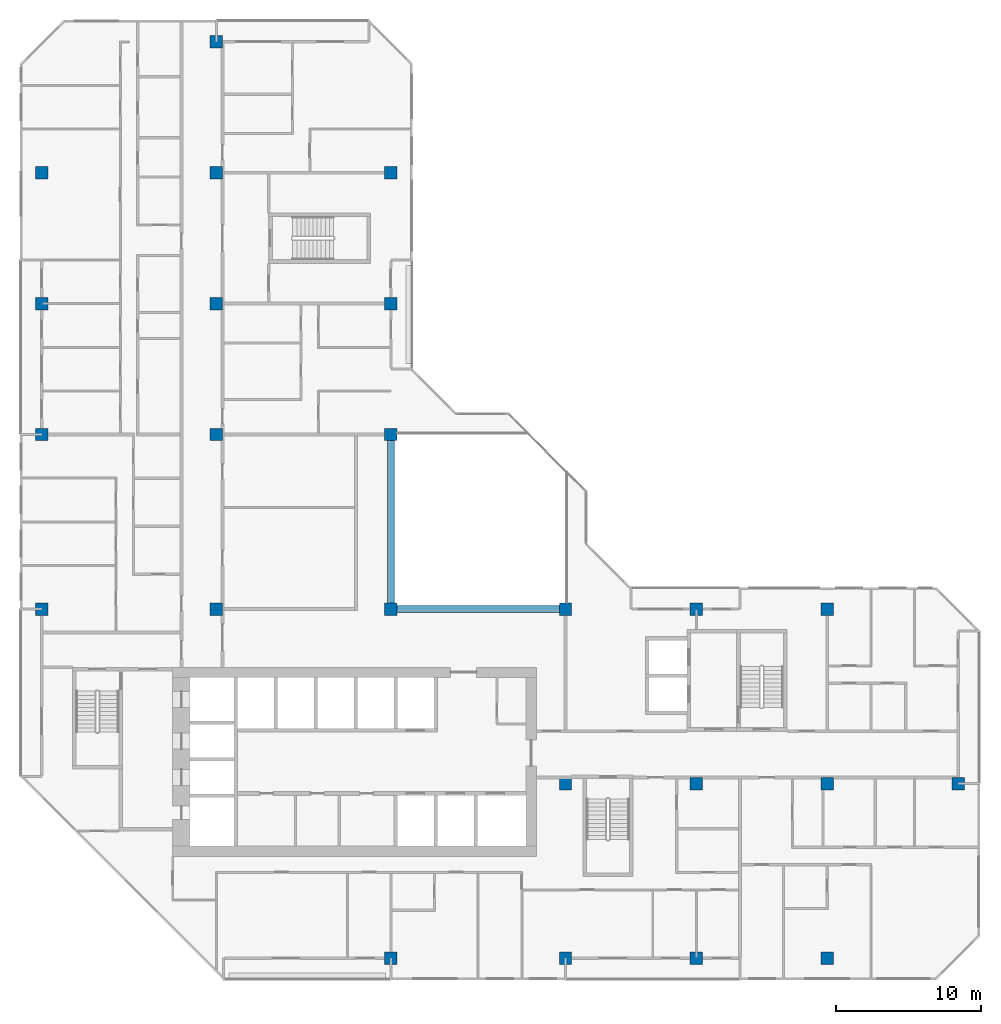
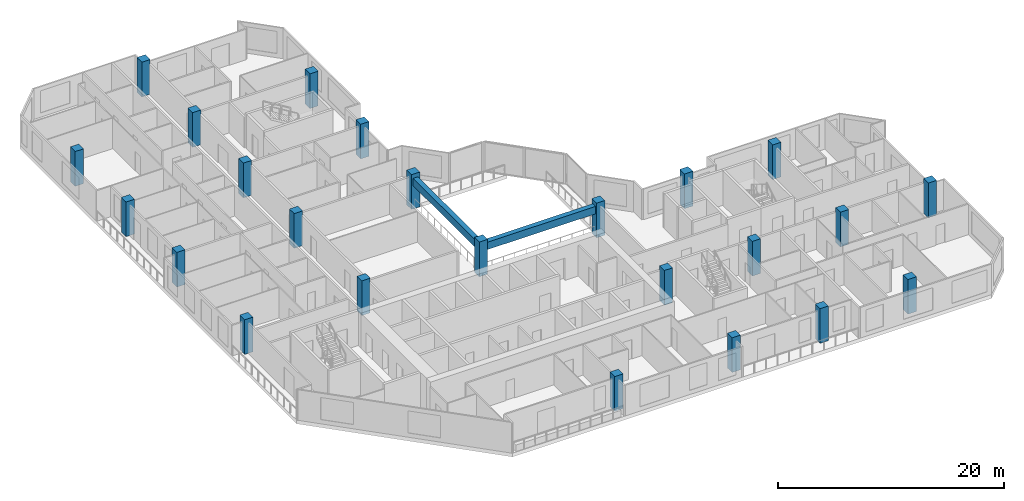
# One storey, part 1 of 15: 24 columns, 2 beams.
"""IFC4 building model written with IfcOpenShell, lengths in metres."""

import ifcopenshell
import ifcopenshell.guid

model = None  # the IFC model being written
_history = None  # IfcOwnerHistory: only IFC2X3 demands one
_inside = {}  # id of a spatial element -> (the spatial element, [elements in it])
_under = {}  # id of a project, library or spatial element -> (it, [spatial elements below it])
_declared = {}  # id of a project -> (the project, [libraries it declares])
_typed = {}  # id of a type object -> (the type object, [elements of that type])
_made_of = {}  # id of a material, layer set ... -> (it, [elements and type objects made of it])


def new_model(schema):
    """Start an empty IFC model of exactly this schema.

    Asked for "IFC4X3", IfcOpenShell would pick the latest addendum, in which some entities
    have other attributes; the version numbers below select the first issue.
    IFC2X3 requires an IfcOwnerHistory on every rooted entity: one is made here for all.
    """
    global model, _history
    if schema == "IFC4X3":
        model = ifcopenshell.file(schema_version=(4, 3, 0, 0))
    else:
        model = ifcopenshell.file(schema=schema)
    _inside.clear()
    _under.clear()
    _declared.clear()
    _typed.clear()
    _made_of.clear()
    _history = None
    if model.schema == "IFC2X3":
        org = make("IfcOrganization", Name="unknown")
        user = make(
            "IfcPersonAndOrganization",
            ThePerson=make("IfcPerson", FamilyName="unknown"),
            TheOrganization=org,
        )
        app = make(
            "IfcApplication",
            ApplicationDeveloper=org,
            Version="unknown",
            ApplicationFullName="unknown",
            ApplicationIdentifier="unknown",
        )
        _history = make(
            "IfcOwnerHistory",
            OwningUser=user,
            OwningApplication=app,
            ChangeAction="ADDED",
            CreationDate=0,
        )
    return model


def make(cls, **values):
    """One entity of the class cls with the attributes given. An attribute that is None is left unset."""
    return model.create_entity(
        cls, **{name: value for name, value in values.items() if value is not None}
    )


def rooted(cls, **values):
    """An entity with a GlobalId (a new one), such as an element, a storey or a relation."""
    return make(cls, GlobalId=ifcopenshell.guid.new(), OwnerHistory=_history, **values)


def si_unit(unit_type, name, prefix=None):
    """IfcSIUnit, for example si_unit("LENGTHUNIT", "METRE", prefix="MILLI")."""
    return make("IfcSIUnit", UnitType=unit_type, Prefix=prefix, Name=name)


def assignment(units):
    """IfcUnitAssignment: the units of a project."""
    return None if units is None else make("IfcUnitAssignment", Units=units)


def point(xyz):
    """IfcCartesianPoint."""
    return None if xyz is None else make("IfcCartesianPoint", Coordinates=xyz)


def direction(xyz):
    """IfcDirection."""
    return None if xyz is None else make("IfcDirection", DirectionRatios=xyz)


def frame(location, z_axis=None, x_axis=None):
    """IfcAxis2Placement3D, a coordinate frame: its origin and axes. An axis left out is left unset."""
    return make(
        "IfcAxis2Placement3D",
        Location=point(location),
        Axis=direction(z_axis),
        RefDirection=direction(x_axis),
    )


def frame_2d(location, x_axis=None):
    """IfcAxis2Placement2D, a coordinate frame in the plane: its origin and x axis."""
    return make(
        "IfcAxis2Placement2D", Location=point(location), RefDirection=direction(x_axis)
    )


def origin():
    """The frame at (0, 0, 0) with its axes left unset."""
    return frame((0.0, 0.0, 0.0))


def origin_2d():
    """The frame at (0, 0) in the plane with its x axis left unset."""
    return frame_2d((0.0, 0.0))


def place(relative_to, where):
    """IfcLocalPlacement: puts the frame where relative to a parent placement (None: the world)."""
    return make(
        "IfcLocalPlacement", PlacementRelTo=relative_to, RelativePlacement=where
    )


def context(
    kind, dimensions, precision=None, world=None, true_north=None, identifier=None
):
    """IfcGeometricRepresentationContext, for example the 3D "Model" context."""
    return make(
        "IfcGeometricRepresentationContext",
        ContextIdentifier=identifier,
        ContextType=kind,
        CoordinateSpaceDimension=dimensions,
        Precision=precision,
        WorldCoordinateSystem=world,
        TrueNorth=true_north,
    )


def subcontext(parent, identifier, kind, view, scale=None):
    """IfcGeometricRepresentationSubContext, for example "Body" below "Model"."""
    return make(
        "IfcGeometricRepresentationSubContext",
        ContextIdentifier=identifier,
        ContextType=kind,
        ParentContext=parent,
        TargetScale=scale,
        TargetView=view,
    )


def project(units=None, contexts=None):
    """IfcProject with its units and contexts."""
    return rooted(
        "IfcProject",
        Name="project",
        RepresentationContexts=contexts,
        UnitsInContext=assignment(units),
    )


def spatial(cls, under=None, at=None, **own):
    """A site, building, storey or space (cls), placed at a placement, below another one or the project."""
    s = rooted(cls, ObjectPlacement=at, **own)
    if under is not None:
        _under.setdefault(under.id(), (under, []))[1].append(s)
    return s


def profile(cls, at=None, kind="AREA", **sizes):
    """A parametric profile (cls). Its sizes go by their IFC names, for example OverallWidth=200.0."""
    return make(cls, ProfileType=kind, Position=at, **sizes)


def rectangle(**sizes):
    """IfcRectangleProfileDef."""
    return profile("IfcRectangleProfileDef", **sizes)


def extrude(swept, where, along, depth):
    """IfcExtrudedAreaSolid: the profile swept, set in the frame where, extruded along a direction by depth."""
    return make(
        "IfcExtrudedAreaSolid",
        SweptArea=swept,
        Position=where,
        ExtrudedDirection=direction(along),
        Depth=depth,
    )


def shape(context_of_items, identifier, shape_type, items):
    """IfcShapeRepresentation: the items that make up one representation, for example the "Body"."""
    return make(
        "IfcShapeRepresentation",
        ContextOfItems=context_of_items,
        RepresentationIdentifier=identifier,
        RepresentationType=shape_type,
        Items=items,
    )


def material(Name=None, Category=None):
    """IfcMaterial."""
    return make("IfcMaterial", Name=Name, Category=Category)


def material_profile(
    of_material, cross_section, Name=None, Category=None, Priority=None
):
    """IfcMaterialProfile: a cross section and its material."""
    return make(
        "IfcMaterialProfile",
        Name=Name,
        Material=of_material,
        Profile=cross_section,
        Priority=Priority,
        Category=Category,
    )


def profile_set(profiles, Name=None, composite=None):
    """IfcMaterialProfileSet."""
    return make(
        "IfcMaterialProfileSet",
        Name=Name,
        MaterialProfiles=profiles,
        CompositeProfile=composite,
    )


def made_of(thing, what):
    """Note that an element or type object is made of a material, layer set ...; save() writes the relation."""
    if what is not None:
        _made_of.setdefault(what.id(), (what, []))[1].append(thing)
    return thing


def type_object(cls, material=None, **own):
    """A type object (cls), such as IfcWallType, which elements share."""
    return made_of(rooted(cls, **own), material)


def element(
    cls,
    number,
    at=None,
    inside=None,
    cuts=None,
    type_object=None,
    material=None,
    context=None,
    identifier="Body",
    shape_type=None,
    held_by="IfcProductDefinitionShape",
    body=None,
    shapes=None,
    **own,
):
    """One element of the class cls, such as IfcWall. Its Tag is "e" and its number.

    at: its placement. inside: the storey or other place that contains it. cuts: it is an
    opening in that element (IfcRelVoidsElement). A single representation is given by context,
    identifier, shape_type and body (its items); several are given by shapes. held_by: the class
    of the entity that holds the representations. save() writes the other relations.
    """
    e = rooted(cls, Tag="e%d" % number, ObjectPlacement=at, **own)
    if body is not None:
        shapes = [shape(context, identifier, shape_type, body)]
    if shapes is not None:
        e.Representation = make(held_by, Representations=shapes)
    if inside is not None:
        _inside.setdefault(inside.id(), (inside, []))[1].append(e)
    if cuts is not None:
        rooted(
            "IfcRelVoidsElement", RelatingBuildingElement=cuts, RelatedOpeningElement=e
        )
    if type_object is not None:
        _typed.setdefault(type_object.id(), (type_object, []))[1].append(e)
    return made_of(e, material)


def aggregate(whole, parts):
    """IfcRelAggregates: a whole, such as a stair, and the parts it consists of."""
    return rooted("IfcRelAggregates", RelatingObject=whole, RelatedObjects=parts)


def save(model, path):
    """Write the relations noted so far, then the file.

    IfcRelAggregates (storeys below a building ...), IfcRelContainedInSpatialStructure (elements
    in a storey), IfcRelDefinesByType, IfcRelAssociatesMaterial and IfcRelDeclares: one each for
    every whole, place, type object, material and project.
    """
    for whole, parts in _under.values():
        aggregate(whole, parts)
    for where, things in _inside.values():
        rooted(
            "IfcRelContainedInSpatialStructure",
            RelatedElements=things,
            RelatingStructure=where,
        )
    for kind, things in _typed.values():
        rooted("IfcRelDefinesByType", RelatedObjects=things, RelatingType=kind)
    for what, things in _made_of.values():
        rooted("IfcRelAssociatesMaterial", RelatedObjects=things, RelatingMaterial=what)
    for by, libraries in _declared.values():
        rooted("IfcRelDeclares", RelatingContext=by, RelatedDefinitions=libraries)
    model.write(path)


model = new_model("IFC4")

# Units and contexts
model_context = context("Model", 3, precision=1e-05, world=origin(), true_north=direction((0.0, 1.0)))
body_context = subcontext(model_context, "Body", "Model", "MODEL_VIEW")
ifc_project = project(units=[si_unit("LENGTHUNIT", "METRE"), si_unit("AREAUNIT", "SQUARE_METRE"), si_unit("VOLUMEUNIT", "CUBIC_METRE"), si_unit("PLANEANGLEUNIT", "RADIAN"), si_unit("MASSUNIT", "GRAM", prefix="KILO")], contexts=[model_context])

# Site, building, storey
site_placement = place(None, origin())
site = spatial("IfcSite", under=ifc_project, at=site_placement, CompositionType="ELEMENT")
building_placement = place(site_placement, origin())
building = spatial("IfcBuilding", under=site, at=building_placement, Name="Chenar Terraces", CompositionType="ELEMENT")
storey_placement = place(building_placement, frame((0.0, 0.0, 252.89990234375)))
storey = spatial("IfcBuildingStorey", under=building, at=storey_placement, Name="L60", CompositionType="ELEMENT", Elevation=252.89990234375)

# Columns
ifc_material_1 = material(Name="Concrete C60/75", Category="concrete")
ifc_material_profile_1 = material_profile(ifc_material_1, rectangle(XDim=0.85009765625, YDim=0.85009765625, at=origin_2d()), Name="C 850 x 850")
ifc_profile_set_1 = profile_set([ifc_material_profile_1], Name="Concrete C60/75")
column_type = type_object("IfcColumnType", Name="Column C 850 x 850 Concrete C60/75", PredefinedType="COLUMN", material=ifc_profile_set_1)
column_1_placement = place(storey_placement, frame((0.0, 24.0, 0.0), z_axis=(0.0, 0.0, 1.0), x_axis=(1.0, 0.0, 0.0)))
element("IfcColumn", 1, at=column_1_placement, inside=storey, type_object=column_type, Name="Column 5/G L60", PredefinedType="COLUMN", context=body_context, shape_type="SweptSolid", body=[
    extrude(rectangle(XDim=0.85009765625, YDim=0.85009765625, at=origin_2d()), origin(), (0.0, 0.0, 1.0), 3.75),
])
column_2_placement = place(storey_placement, frame((0.0, 36.0, 0.0), z_axis=(0.0, 0.0, 1.0), x_axis=(1.0, 0.0, 0.0)))
element("IfcColumn", 2, at=column_2_placement, inside=storey, type_object=column_type, Name="Column 5/H L60", PredefinedType="COLUMN", context=body_context, shape_type="SweptSolid", body=[
    extrude(rectangle(XDim=0.85009765625, YDim=0.85009765625, at=origin_2d()), origin(), (0.0, 0.0, 1.0), 3.75),
])
for number, where, z_axis, x_axis, name in (
    (3, (0.0, 45.0, 0.0), (0.0, 0.0, 1.0), (1.0, 0.0, 0.0), "Column 5/J L60"),
    (4, (0.0, 54.0, 0.0), (0.0, 0.0, 1.0), (1.0, 0.0, 0.0), "Column 5/K L60"),
    (5, (12.0, 24.0, 0.0), (0.0, 0.0, 1.0), (1.0, 0.0, 0.0), "Column 6/G L60"),
    (6, (12.0, 36.0, 0.0), (0.0, 0.0, 1.0), (1.0, 0.0, 0.0), "Column 6/H L60"),
    (7, (12.0, 45.0, 0.0), (0.0, 0.0, 1.0), (1.0, 0.0, 0.0), "Column 6/J L60"),
    (8, (12.0, 54.0, 0.0), (0.0, 0.0, 1.0), (1.0, 0.0, 0.0), "Column 6/K L60"),
    (9, (12.0, 63.0, 0.0), (0.0, 0.0, 1.0), (1.0, 0.0, 0.0), "Column 6/L L60"),
    (10, (24.0, 0.0, 0.0), (0.0, 0.0, 1.0), (1.0, 0.0, 0.0), "Column 7/E L60"),
    (11, (24.0, 24.0, 0.0), (0.0, 0.0, 1.0), (1.0, 0.0, 0.0), "Column 7/G L60"),
    (12, (24.0, 36.0, 0.0), (0.0, 0.0, 1.0), (1.0, 0.0, 0.0), "Column 7/H L60"),
    (13, (24.0, 45.0, 0.0), (0.0, 0.0, 1.0), (1.0, 0.0, 0.0), "Column 7/J L60"),
    (14, (24.0, 54.0, 0.0), (0.0, 0.0, 1.0), (1.0, 0.0, 0.0), "Column 7/K L60"),
    (15, (36.0, 0.0, 0.0), (0.0, 0.0, 1.0), (1.0, 0.0, 0.0), "Column 8/E L60"),
    (16, (36.0, 12.0, 0.0), (0.0, 0.0, 1.0), (1.0, 0.0, 0.0), "Column 8/F L60"),
    (17, (36.0, 24.0, 0.0), (0.0, 0.0, 1.0), (1.0, 0.0, 0.0), "Column 8/G L60"),
    (18, (45.0, 0.0, 0.0), (0.0, 0.0, 1.0), (1.0, 0.0, 0.0), "Column 9/E L60"),
    (19, (45.0, 12.0, 0.0), (0.0, 0.0, 1.0), (1.0, 0.0, 0.0), "Column 9/F L60"),
    (20, (45.0, 24.0, 0.0), (0.0, 0.0, 1.0), (1.0, 0.0, 0.0), "Column 9/G L60"),
    (21, (54.0, 0.0, 0.0), (0.0, 0.0, 1.0), (1.0, 0.0, 0.0), "Column 10/E L60"),
    (22, (54.0, 12.0, 0.0), (0.0, 0.0, 1.0), (1.0, 0.0, 0.0), "Column 10/F L60"),
    (23, (54.0, 24.0, 0.0), (0.0, 0.0, 1.0), (1.0, 0.0, 0.0), "Column 10/G L60"),
    (24, (63.0, 12.0, 0.0), (0.0, 0.0, 1.0), (1.0, 0.0, 0.0), "Column 11/F L60"),
):
    element("IfcColumn", number, at=place(storey_placement, frame(where, z_axis=z_axis, x_axis=x_axis)), inside=storey, type_object=column_type, Name=name, PredefinedType="COLUMN", context=body_context, shape_type="SweptSolid", body=[
        extrude(rectangle(XDim=0.85009765625, YDim=0.85009765625, at=origin_2d()), origin(), (0.0, 0.0, 1.0), 3.75),
    ])

# Beams
ifc_material_2 = material(Name="Concrete C40/50", Category="concrete")
ifc_material_profile_2 = material_profile(ifc_material_2, rectangle(XDim=0.5, YDim=0.800048828125, at=origin_2d()), Name="RC 500 x 800")
ifc_profile_set_2 = profile_set([ifc_material_profile_2], Name="Concrete C40/50")
beam_type = type_object("IfcBeamType", Name="Atrium edge beam 500 x 800 Concrete C40/50", PredefinedType="BEAM", material=ifc_profile_set_2)
for number, where, z_axis, x_axis, name in (
    (25, (24.425048828125, 24.0, 2.900146484375), (1.0, 0.0, 0.0), (0.0, 1.0, 0.0), "Atrium edge beam L61 1"),
    (26, (24.0, 35.574951171875, 2.900146484375), (0.0, -1.0, 0.0), (1.0, 0.0, 0.0), "Atrium edge beam L61 4"),
):
    element("IfcBeam", number, at=place(storey_placement, frame(where, z_axis=z_axis, x_axis=x_axis)), inside=storey, type_object=beam_type, Name=name, PredefinedType="BEAM", context=body_context, shape_type="SweptSolid", body=[
        extrude(rectangle(XDim=0.5, YDim=0.800048828125, at=origin_2d()), origin(), (0.0, 0.0, 1.0), 11.14990234375),
    ])

save(model, "model.ifc")
